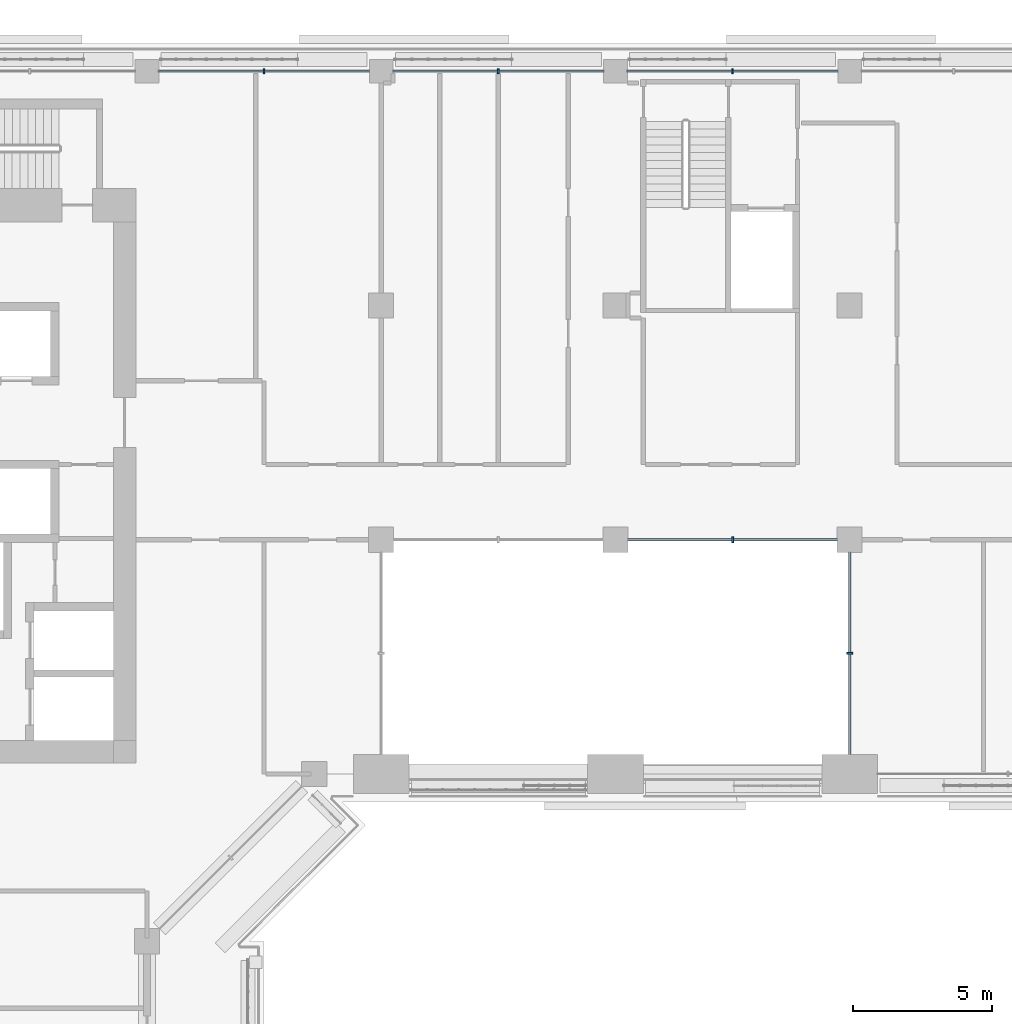
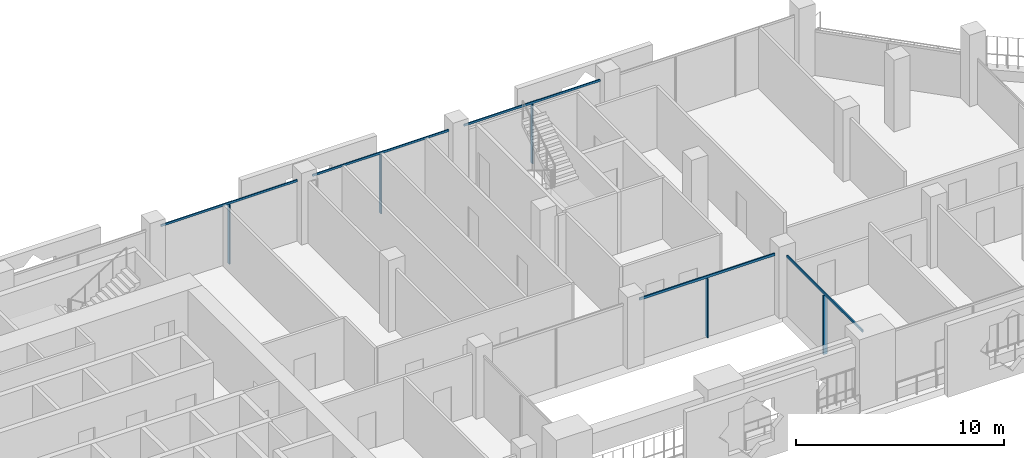
# One storey, part 8 of 23: 10 members, 3 elements without a shape of their own.
"""IFC4 building model written with IfcOpenShell, lengths in metres."""

from ifc_helpers import new_model, si_unit, direction, frame, origin, origin_2d, place, context, subcontext, project, spatial, rectangle, extrude, material, layer, layer_set, material_profile, profile_set, type_object, element, aggregate, save


model = new_model("IFC4")

# Units and contexts
model_context = context("Model", 3, precision=1e-05, world=origin(), true_north=direction((0.0, 1.0)))
body_context = subcontext(model_context, "Body", "Model", "MODEL_VIEW")
ifc_project = project(units=[si_unit("LENGTHUNIT", "METRE"), si_unit("AREAUNIT", "SQUARE_METRE"), si_unit("VOLUMEUNIT", "CUBIC_METRE"), si_unit("PLANEANGLEUNIT", "RADIAN"), si_unit("MASSUNIT", "GRAM", prefix="KILO")], contexts=[model_context])

# Site, building, storey
site_placement = place(None, origin())
site = spatial("IfcSite", under=ifc_project, at=site_placement, CompositionType="ELEMENT")
building_placement = place(site_placement, origin())
building = spatial("IfcBuilding", under=site, at=building_placement, Name="Kawkab Arch Medical Tower", CompositionType="ELEMENT")
storey_placement = place(building_placement, frame((0.0, 0.0, 222.199951171875)))
storey = spatial("IfcBuildingStorey", under=building, at=storey_placement, Name="L51", CompositionType="ELEMENT", Elevation=222.199951171875)

# Curtain wall, members
ifc_material_1 = material(Name="Bronze anodised aluminium curtain wall frame", Category="aluminium")
ifc_layer_1 = layer(ifc_material_1, 0.159912109375)
ifc_layer_set_1 = layer_set([ifc_layer_1], Name="Bronze anodised aluminium curtain wall frame")
curtain_wall_type_1 = type_object("IfcCurtainWallType", Name="CW1 ward curtain wall", PredefinedType="NOTDEFINED", material=ifc_layer_set_1)
placement = place(storey_placement, origin())
curtain_wall_1 = element("IfcCurtainWall", 1, at=placement, inside=storey, type_object=curtain_wall_type_1, Name="CW1 Ward curtain wall R09", PredefinedType="NOTDEFINED")
ifc_material_2 = material(Name="Bronze anodised aluminium curtain wall frame", Category="aluminium")
ifc_material_profile_1 = material_profile(ifc_material_2, rectangle(XDim=0.179931640625, YDim=0.06005859375, at=origin_2d()), Name="AL 60x180")
ifc_profile_set_1 = profile_set([ifc_material_profile_1], Name="Bronze anodised aluminium curtain wall frame")
member_type_1 = type_object("IfcMemberType", Name="CW1 mullion 60 x 180", PredefinedType="MULLION", material=ifc_profile_set_1)
member_1_placement = place(storey_placement, frame((46.199951171875, 0.0, 0.0), z_axis=(0.0, 0.0, 1.0), x_axis=(0.0, -1.0, 0.0)))
member_1 = element("IfcMember", 2, at=member_1_placement, type_object=member_type_1, Name="CW1 mullion 2.1", PredefinedType="MULLION", context=body_context, shape_type="SweptSolid", body=[
    extrude(rectangle(XDim=0.179931640625, YDim=0.06005859375, at=origin_2d()), origin(), (0.0, 0.0, 1.0), 3.47998046875),
])
member_2_placement = place(storey_placement, frame((37.800048828125, 0.0, 0.0), z_axis=(0.0, 0.0, 1.0), x_axis=(0.0, -1.0, 0.0)))
member_2 = element("IfcMember", 3, at=member_2_placement, type_object=member_type_1, Name="CW1 mullion 3.1", PredefinedType="MULLION", context=body_context, shape_type="SweptSolid", body=[
    extrude(rectangle(XDim=0.179931640625, YDim=0.06005859375, at=origin_2d()), origin(), (0.0, 0.0, 1.0), 3.47998046875),
])
member_3_placement = place(storey_placement, frame((29.39990234375, 0.0, 0.0), z_axis=(0.0, 0.0, 1.0), x_axis=(0.0, -1.0, 0.0)))
member_3 = element("IfcMember", 4, at=member_3_placement, type_object=member_type_1, Name="CW1 mullion 4.1", PredefinedType="MULLION", context=body_context, shape_type="SweptSolid", body=[
    extrude(rectangle(XDim=0.179931640625, YDim=0.06005859375, at=origin_2d()), origin(), (0.0, 0.0, 1.0), 3.47998046875),
])
ifc_material_3 = material(Name="Bronze anodised aluminium curtain wall frame", Category="aluminium")
ifc_material_profile_2 = material_profile(ifc_material_3, rectangle(XDim=0.06005859375, YDim=0.1201171875, at=origin_2d()), Name="AL 60x120")
ifc_profile_set_2 = profile_set([ifc_material_profile_2], Name="Bronze anodised aluminium curtain wall frame")
member_type_2 = type_object("IfcMemberType", Name="CW1 transom 120 x 60", PredefinedType="USERDEFINED", material=ifc_profile_set_2)
member_4_placement = place(storey_placement, frame((49.97509765625, 0.0, 3.5400390625), z_axis=(-1.0, 0.0, 0.0), x_axis=(0.0, -1.0, 0.0)))
member_4 = element("IfcMember", 5, at=member_4_placement, type_object=member_type_2, Name="CW1 transom 2", ObjectType="TRANSOM", PredefinedType="USERDEFINED", context=body_context, shape_type="SweptSolid", body=[
    extrude(rectangle(XDim=0.06005859375, YDim=0.1201171875, at=origin_2d()), origin(), (0.0, 0.0, 1.0), 7.550048828125),
])
member_5_placement = place(storey_placement, frame((41.574951171875, 0.0, 3.5400390625), z_axis=(-1.0, 0.0, 0.0), x_axis=(0.0, -1.0, 0.0)))
member_5 = element("IfcMember", 6, at=member_5_placement, type_object=member_type_2, Name="CW1 transom 3", ObjectType="TRANSOM", PredefinedType="USERDEFINED", context=body_context, shape_type="SweptSolid", body=[
    extrude(rectangle(XDim=0.06005859375, YDim=0.1201171875, at=origin_2d()), origin(), (0.0, 0.0, 1.0), 7.550048828125),
])
member_6_placement = place(storey_placement, frame((33.175048828125, 0.0, 3.5400390625), z_axis=(-1.0, 0.0, 0.0), x_axis=(0.0, -1.0, 0.0)))
member_6 = element("IfcMember", 7, at=member_6_placement, type_object=member_type_2, Name="CW1 transom 4", ObjectType="TRANSOM", PredefinedType="USERDEFINED", context=body_context, shape_type="SweptSolid", body=[
    extrude(rectangle(XDim=0.06005859375, YDim=0.1201171875, at=origin_2d()), origin(), (0.0, 0.0, 1.0), 7.550048828125),
])
aggregate(curtain_wall_1, [member_4, member_1, member_5, member_2, member_6, member_3])

# Curtain wall, member
ifc_material_4 = material(Name="Bronze anodised aluminium curtain wall frame", Category="aluminium")
ifc_layer_2 = layer(ifc_material_4, 0.159912109375)
ifc_layer_set_2 = layer_set([ifc_layer_2], Name="Bronze anodised aluminium curtain wall frame")
curtain_wall_type_2 = type_object("IfcCurtainWallType", Name="CW3 sky garden curtain wall", PredefinedType="NOTDEFINED", material=ifc_layer_set_2)
curtain_wall_2 = element("IfcCurtainWall", 8, at=placement, inside=storey, type_object=curtain_wall_type_2, Name="CW3 Sky garden curtain wall R03", PredefinedType="NOTDEFINED")
ifc_material_5 = material(Name="Bronze anodised aluminium curtain wall frame", Category="aluminium")
ifc_material_profile_3 = material_profile(ifc_material_5, rectangle(XDim=0.219970703125, YDim=0.070068359375, at=origin_2d()), Name="AL 70x220")
ifc_profile_set_3 = profile_set([ifc_material_profile_3], Name="Bronze anodised aluminium curtain wall frame")
member_type_3 = type_object("IfcMemberType", Name="CW3 mullion 70 x 220", PredefinedType="MULLION", material=ifc_profile_set_3)
member_7_placement = place(storey_placement, frame((46.199951171875, -16.800048828125, 0.0), z_axis=(0.0, 0.0, 1.0), x_axis=(0.0, 1.0, 0.0)))
member_7 = element("IfcMember", 9, at=member_7_placement, type_object=member_type_3, Name="CW3 mullion 2.1", PredefinedType="MULLION", context=body_context, shape_type="SweptSolid", body=[
    extrude(rectangle(XDim=0.219970703125, YDim=0.070068359375, at=origin_2d()), origin(), (0.0, 0.0, 1.0), 3.4599609375),
])

curtain_wall_3 = element("IfcCurtainWall", 10, at=placement, inside=storey, type_object=curtain_wall_type_2, Name="CW3 Sky garden curtain wall R04", PredefinedType="NOTDEFINED")
member_8_placement = place(storey_placement, frame((50.39990234375, -20.875, 0.0), z_axis=(0.0, 0.0, 1.0), x_axis=(1.0, 0.0, 0.0)))
member_8 = element("IfcMember", 11, at=member_8_placement, type_object=member_type_3, Name="CW3 mullion 1.1", PredefinedType="MULLION", context=body_context, shape_type="SweptSolid", body=[
    extrude(rectangle(XDim=0.219970703125, YDim=0.070068359375, at=origin_2d()), origin(), (0.0, 0.0, 1.0), 3.4599609375),
])

# Member
ifc_material_6 = material(Name="Bronze anodised aluminium curtain wall frame", Category="aluminium")
ifc_material_profile_4 = material_profile(ifc_material_6, rectangle(XDim=0.070068359375, YDim=0.139892578125, at=origin_2d()), Name="AL 70x140")
ifc_profile_set_4 = profile_set([ifc_material_profile_4], Name="Bronze anodised aluminium curtain wall frame")
member_type_4 = type_object("IfcMemberType", Name="CW3 transom 140 x 70", PredefinedType="USERDEFINED", material=ifc_profile_set_4)
member_9_placement = place(storey_placement, frame((42.449951171875, -16.800048828125, 3.530029296875), z_axis=(1.0, 0.0, 0.0), x_axis=(0.0, 1.0, 0.0)))
member_9 = element("IfcMember", 12, at=member_9_placement, type_object=member_type_4, Name="CW3 transom 2", ObjectType="TRANSOM", PredefinedType="USERDEFINED", context=body_context, shape_type="SweptSolid", body=[
    extrude(rectangle(XDim=0.070068359375, YDim=0.139892578125, at=origin_2d()), origin(), (0.0, 0.0, 1.0), 7.5),
])

aggregate(curtain_wall_2, [member_9, member_7])

member_10_placement = place(storey_placement, frame((50.39990234375, -17.25, 3.530029296875), z_axis=(0.0, -1.0, 0.0), x_axis=(1.0, 0.0, 0.0)))
member_10 = element("IfcMember", 13, at=member_10_placement, type_object=member_type_4, Name="CW3 transom 1", ObjectType="TRANSOM", PredefinedType="USERDEFINED", context=body_context, shape_type="SweptSolid", body=[
    extrude(rectangle(XDim=0.070068359375, YDim=0.139892578125, at=origin_2d()), origin(), (0.0, 0.0, 1.0), 7.25),
])

aggregate(curtain_wall_3, [member_10, member_8])

save(model, "model.ifc")
